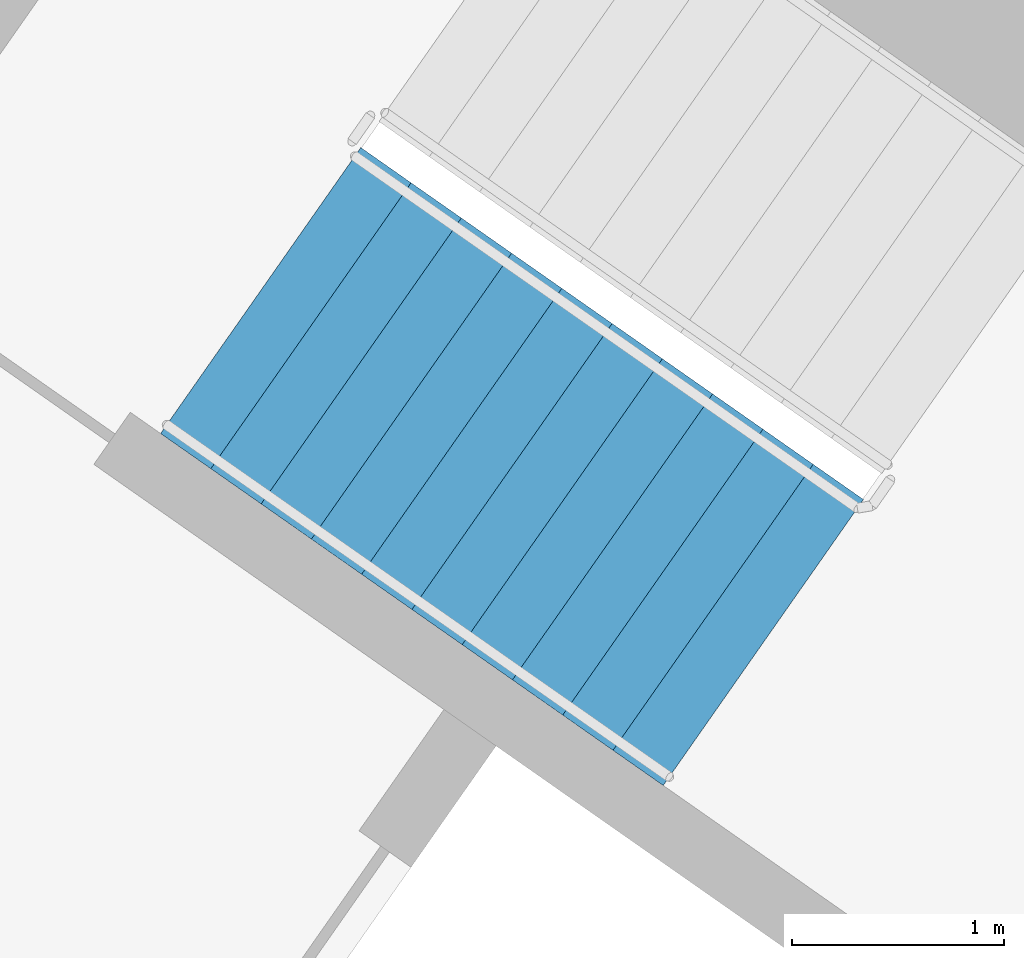
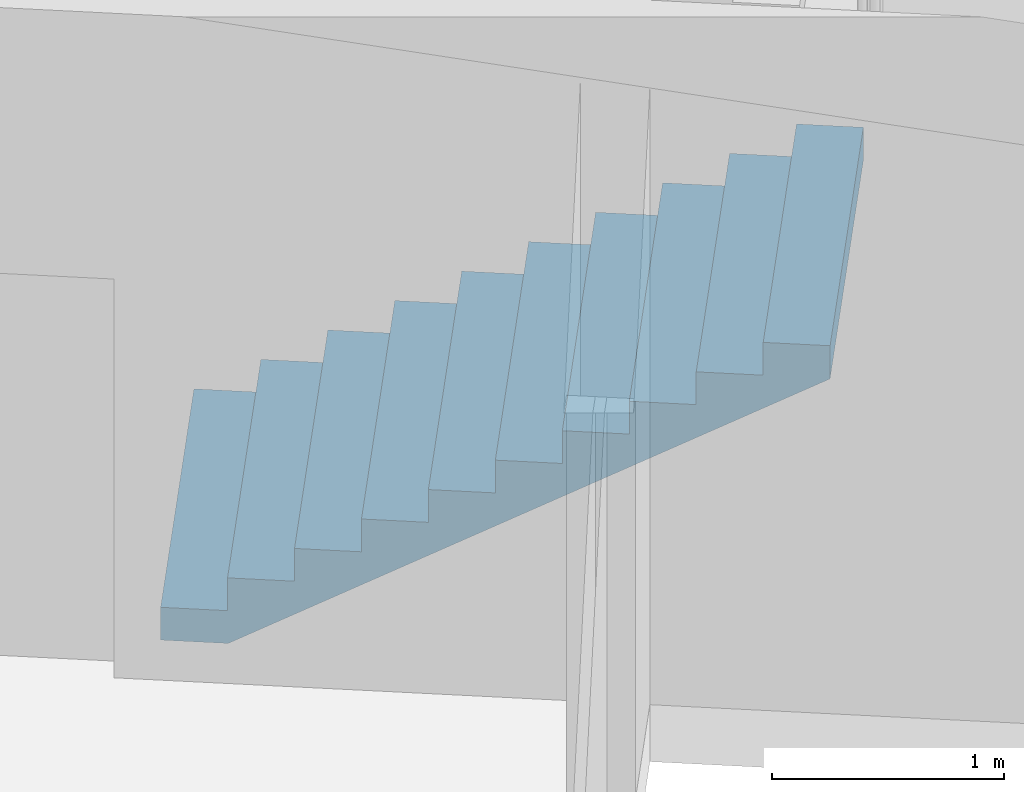
# One storey, part 12 of 30: 1 stair flight, 1 element without a shape of its own.
"""IFC4 building model written with IfcOpenShell, lengths in metres."""

import ifcopenshell
import ifcopenshell.guid

model = None  # the IFC model being written
_history = None  # IfcOwnerHistory: only IFC2X3 demands one
_inside = {}  # id of a spatial element -> (the spatial element, [elements in it])
_under = {}  # id of a project, library or spatial element -> (it, [spatial elements below it])
_declared = {}  # id of a project -> (the project, [libraries it declares])
_typed = {}  # id of a type object -> (the type object, [elements of that type])
_made_of = {}  # id of a material, layer set ... -> (it, [elements and type objects made of it])


def new_model(schema):
    """Start an empty IFC model of exactly this schema.

    Asked for "IFC4X3", IfcOpenShell would pick the latest addendum, in which some entities
    have other attributes; the version numbers below select the first issue.
    IFC2X3 requires an IfcOwnerHistory on every rooted entity: one is made here for all.
    """
    global model, _history
    if schema == "IFC4X3":
        model = ifcopenshell.file(schema_version=(4, 3, 0, 0))
    else:
        model = ifcopenshell.file(schema=schema)
    _inside.clear()
    _under.clear()
    _declared.clear()
    _typed.clear()
    _made_of.clear()
    _history = None
    if model.schema == "IFC2X3":
        org = make("IfcOrganization", Name="unknown")
        user = make(
            "IfcPersonAndOrganization",
            ThePerson=make("IfcPerson", FamilyName="unknown"),
            TheOrganization=org,
        )
        app = make(
            "IfcApplication",
            ApplicationDeveloper=org,
            Version="unknown",
            ApplicationFullName="unknown",
            ApplicationIdentifier="unknown",
        )
        _history = make(
            "IfcOwnerHistory",
            OwningUser=user,
            OwningApplication=app,
            ChangeAction="ADDED",
            CreationDate=0,
        )
    return model


def make(cls, **values):
    """One entity of the class cls with the attributes given. An attribute that is None is left unset."""
    return model.create_entity(
        cls, **{name: value for name, value in values.items() if value is not None}
    )


def rooted(cls, **values):
    """An entity with a GlobalId (a new one), such as an element, a storey or a relation."""
    return make(cls, GlobalId=ifcopenshell.guid.new(), OwnerHistory=_history, **values)


def si_unit(unit_type, name, prefix=None):
    """IfcSIUnit, for example si_unit("LENGTHUNIT", "METRE", prefix="MILLI")."""
    return make("IfcSIUnit", UnitType=unit_type, Prefix=prefix, Name=name)


def assignment(units):
    """IfcUnitAssignment: the units of a project."""
    return None if units is None else make("IfcUnitAssignment", Units=units)


def point(xyz):
    """IfcCartesianPoint."""
    return None if xyz is None else make("IfcCartesianPoint", Coordinates=xyz)


def direction(xyz):
    """IfcDirection."""
    return None if xyz is None else make("IfcDirection", DirectionRatios=xyz)


def frame(location, z_axis=None, x_axis=None):
    """IfcAxis2Placement3D, a coordinate frame: its origin and axes. An axis left out is left unset."""
    return make(
        "IfcAxis2Placement3D",
        Location=point(location),
        Axis=direction(z_axis),
        RefDirection=direction(x_axis),
    )


def origin():
    """The frame at (0, 0, 0) with its axes left unset."""
    return frame((0.0, 0.0, 0.0))


def place(relative_to, where):
    """IfcLocalPlacement: puts the frame where relative to a parent placement (None: the world)."""
    return make(
        "IfcLocalPlacement", PlacementRelTo=relative_to, RelativePlacement=where
    )


def context(
    kind, dimensions, precision=None, world=None, true_north=None, identifier=None
):
    """IfcGeometricRepresentationContext, for example the 3D "Model" context."""
    return make(
        "IfcGeometricRepresentationContext",
        ContextIdentifier=identifier,
        ContextType=kind,
        CoordinateSpaceDimension=dimensions,
        Precision=precision,
        WorldCoordinateSystem=world,
        TrueNorth=true_north,
    )


def subcontext(parent, identifier, kind, view, scale=None):
    """IfcGeometricRepresentationSubContext, for example "Body" below "Model"."""
    return make(
        "IfcGeometricRepresentationSubContext",
        ContextIdentifier=identifier,
        ContextType=kind,
        ParentContext=parent,
        TargetScale=scale,
        TargetView=view,
    )


def project(units=None, contexts=None):
    """IfcProject with its units and contexts."""
    return rooted(
        "IfcProject",
        Name="project",
        RepresentationContexts=contexts,
        UnitsInContext=assignment(units),
    )


def spatial(cls, under=None, at=None, **own):
    """A site, building, storey or space (cls), placed at a placement, below another one or the project."""
    s = rooted(cls, ObjectPlacement=at, **own)
    if under is not None:
        _under.setdefault(under.id(), (under, []))[1].append(s)
    return s


def faces_of(points, faces, orient=None, outer=None):
    """IfcFace entities. A face is a list of loops; a loop is a list of indices into points, from 0.

    orient and outer hold one flag for each loop. By default every Orientation is true, the
    first loop of a face is its IfcFaceOuterBound and the others are IfcFaceBound.
    """
    made = []
    for i, loops in enumerate(faces):
        bounds = []
        for j, loop in enumerate(loops):
            is_outer = j == 0 if outer is None else outer[i][j]
            bounds.append(
                make(
                    "IfcFaceOuterBound" if is_outer else "IfcFaceBound",
                    Bound=make("IfcPolyLoop", Polygon=[points[k] for k in loop]),
                    Orientation=True if orient is None else orient[i][j],
                )
            )
        made.append(make("IfcFace", Bounds=bounds))
    return made


def faceted_brep(points, faces, orient=None, outer=None, voids=None):
    """IfcFacetedBrep: a solid bounded by flat faces; with voids (closed shells), ...WithVoids."""
    shared = [point(p) for p in points]
    hull = make("IfcClosedShell", CfsFaces=faces_of(shared, faces, orient, outer))
    if voids is None:
        return make("IfcFacetedBrep", Outer=hull)
    return make(
        "IfcFacetedBrepWithVoids",
        Outer=hull,
        Voids=[
            make(cls, CfsFaces=faces_of(shared, fs, o, b)) for cls, fs, o, b in voids
        ],
    )


def shape(context_of_items, identifier, shape_type, items):
    """IfcShapeRepresentation: the items that make up one representation, for example the "Body"."""
    return make(
        "IfcShapeRepresentation",
        ContextOfItems=context_of_items,
        RepresentationIdentifier=identifier,
        RepresentationType=shape_type,
        Items=items,
    )


def material(Name=None, Category=None):
    """IfcMaterial."""
    return make("IfcMaterial", Name=Name, Category=Category)


def made_of(thing, what):
    """Note that an element or type object is made of a material, layer set ...; save() writes the relation."""
    if what is not None:
        _made_of.setdefault(what.id(), (what, []))[1].append(thing)
    return thing


def type_object(cls, material=None, **own):
    """A type object (cls), such as IfcWallType, which elements share."""
    return made_of(rooted(cls, **own), material)


def element(
    cls,
    number,
    at=None,
    inside=None,
    cuts=None,
    type_object=None,
    material=None,
    context=None,
    identifier="Body",
    shape_type=None,
    held_by="IfcProductDefinitionShape",
    body=None,
    shapes=None,
    **own,
):
    """One element of the class cls, such as IfcWall. Its Tag is "e" and its number.

    at: its placement. inside: the storey or other place that contains it. cuts: it is an
    opening in that element (IfcRelVoidsElement). A single representation is given by context,
    identifier, shape_type and body (its items); several are given by shapes. held_by: the class
    of the entity that holds the representations. save() writes the other relations.
    """
    e = rooted(cls, Tag="e%d" % number, ObjectPlacement=at, **own)
    if body is not None:
        shapes = [shape(context, identifier, shape_type, body)]
    if shapes is not None:
        e.Representation = make(held_by, Representations=shapes)
    if inside is not None:
        _inside.setdefault(inside.id(), (inside, []))[1].append(e)
    if cuts is not None:
        rooted(
            "IfcRelVoidsElement", RelatingBuildingElement=cuts, RelatedOpeningElement=e
        )
    if type_object is not None:
        _typed.setdefault(type_object.id(), (type_object, []))[1].append(e)
    return made_of(e, material)


def aggregate(whole, parts):
    """IfcRelAggregates: a whole, such as a stair, and the parts it consists of."""
    return rooted("IfcRelAggregates", RelatingObject=whole, RelatedObjects=parts)


def save(model, path):
    """Write the relations noted so far, then the file.

    IfcRelAggregates (storeys below a building ...), IfcRelContainedInSpatialStructure (elements
    in a storey), IfcRelDefinesByType, IfcRelAssociatesMaterial and IfcRelDeclares: one each for
    every whole, place, type object, material and project.
    """
    for whole, parts in _under.values():
        aggregate(whole, parts)
    for where, things in _inside.values():
        rooted(
            "IfcRelContainedInSpatialStructure",
            RelatedElements=things,
            RelatingStructure=where,
        )
    for kind, things in _typed.values():
        rooted("IfcRelDefinesByType", RelatedObjects=things, RelatingType=kind)
    for what, things in _made_of.values():
        rooted("IfcRelAssociatesMaterial", RelatedObjects=things, RelatingMaterial=what)
    for by, libraries in _declared.values():
        rooted("IfcRelDeclares", RelatingContext=by, RelatedDefinitions=libraries)
    model.write(path)


model = new_model("IFC4")

# Units and contexts
model_context = context("Model", 3, precision=1e-05, world=origin(), true_north=direction((0.0, 1.0)))
body_context = subcontext(model_context, "Body", "Model", "MODEL_VIEW")
ifc_project = project(units=[si_unit("LENGTHUNIT", "METRE"), si_unit("AREAUNIT", "SQUARE_METRE"), si_unit("VOLUMEUNIT", "CUBIC_METRE"), si_unit("PLANEANGLEUNIT", "RADIAN"), si_unit("MASSUNIT", "GRAM", prefix="KILO")], contexts=[model_context])

# Site, building, storey
site_placement = place(None, origin())
site = spatial("IfcSite", under=ifc_project, at=site_placement, CompositionType="ELEMENT")
building_placement = place(site_placement, origin())
building = spatial("IfcBuilding", under=site, at=building_placement, Name="Qamariyya Broadcast Tower", CompositionType="ELEMENT")
storey_placement = place(building_placement, frame((0.0, 0.0, 110.10009765625)))
storey = spatial("IfcBuildingStorey", under=building, at=storey_placement, Name="L24", CompositionType="ELEMENT", Elevation=110.10009765625)

# Stair, stair flight
ifc_material = material(Name="Concrete C50/60", Category="concrete")
stair_type = type_object("IfcStairType", Name="Exit stair 22 risers of 173 mm", PredefinedType="HALF_TURN_STAIR", material=ifc_material)
stair_placement = place(storey_placement, origin())
stair = element("IfcStair", 1, at=stair_placement, inside=storey, type_object=stair_type, Name="L24 Stair W2", PredefinedType="HALF_TURN_STAIR")
stair_flight_type = type_object("IfcStairFlightType", Name="Exit stair flight 11 risers of 173 mm", PredefinedType="STRAIGHT", material=ifc_material)
stair_flight_placement = place(storey_placement, frame((-41.59130859375, -49.15966796875, 0.0), z_axis=(0.0, 0.0, 1.0), x_axis=(0.819152044289, -0.573576436351, 0.0)))
stair_flight = element("IfcStairFlight", 2, at=stair_flight_placement, type_object=stair_flight_type, Name="ST-W2 flight 1", NumberOfRisers=11, NumberOfTreads=10, PredefinedType="STRAIGHT", RiserHeight=0.172727273, TreadLength=0.29, context=body_context, shape_type="Brep", body=[
    faceted_brep([(0.0, 0.824951171875, 0.0), (0.0, 0.824951171875, 0.172607421875), (0.2900390625, 0.824951171875, 0.172607421875), (0.2900390625, 0.824951171875, 0.345458984375), (0.580078125, 0.824951171875, 0.345458984375), (0.580078125, 0.824951171875, 0.51806640625), (0.8701171875, 0.824951171875, 0.51806640625), (0.8701171875, 0.824951171875, 0.69091796875), (1.159912109375, 0.824951171875, 0.69091796875), (1.159912109375, 0.824951171875, 0.863525390625), (1.449951171875, 0.824951171875, 0.863525390625), (1.449951171875, 0.824951171875, 1.036376953125), (1.739990234375, 0.824951171875, 1.036376953125), (1.739990234375, 0.824951171875, 1.208984375), (2.030029296875, 0.824951171875, 1.208984375), (2.030029296875, 0.824951171875, 1.3818359375), (2.320068359375, 0.824951171875, 1.3818359375), (2.320068359375, 0.824951171875, 1.554443359375), (2.610107421875, 0.824951171875, 1.554443359375), (2.610107421875, 0.824951171875, 1.727294921875), (2.89990234375, 0.824951171875, 1.727294921875), (2.89990234375, 0.824951171875, 1.552734375), (0.29296875, 0.824951171875, 0.0), (0.29296875, -0.824951171875, 0.0), (2.89990234375, -0.824951171875, 1.552734375), (2.89990234375, -0.824951171875, 1.727294921875), (2.610107421875, -0.824951171875, 1.727294921875), (2.610107421875, -0.824951171875, 1.554443359375), (2.320068359375, -0.824951171875, 1.554443359375), (2.320068359375, -0.824951171875, 1.3818359375), (2.030029296875, -0.824951171875, 1.3818359375), (2.030029296875, -0.824951171875, 1.208984375), (1.739990234375, -0.824951171875, 1.208984375), (1.739990234375, -0.824951171875, 1.036376953125), (1.449951171875, -0.824951171875, 1.036376953125), (1.449951171875, -0.824951171875, 0.863525390625), (1.159912109375, -0.824951171875, 0.863525390625), (1.159912109375, -0.824951171875, 0.69091796875), (0.8701171875, -0.824951171875, 0.69091796875), (0.8701171875, -0.824951171875, 0.51806640625), (0.580078125, -0.824951171875, 0.51806640625), (0.580078125, -0.824951171875, 0.345458984375), (0.2900390625, -0.824951171875, 0.345458984375), (0.2900390625, -0.824951171875, 0.172607421875), (0.0, -0.824951171875, 0.172607421875), (0.0, -0.824951171875, 0.0), (0.0, 0.10009765625, 0.0), (0.0, 0.086669921875, 0.0), (0.0, 0.0732421875, 0.0), (0.0, 0.06005859375, 0.0), (0.0, 0.046630859375, 0.0), (0.0, 0.033447265625, 0.0), (0.0, 0.02001953125, 0.0), (0.0, 0.006591796875, 0.0), (0.0, -0.006591796875, 0.0), (0.0, -0.02001953125, 0.0), (0.0, -0.033447265625, 0.0), (0.0, -0.046630859375, 0.0), (0.0, -0.06005859375, 0.0), (0.0, -0.0732421875, 0.0), (0.0, -0.086669921875, 0.0), (0.0, -0.10009765625, 0.0), (0.0, -0.10009765625, 0.172607421875), (0.0, -0.086669921875, 0.172607421875), (0.0, -0.0732421875, 0.172607421875), (0.0, -0.06005859375, 0.172607421875), (0.0, -0.046630859375, 0.172607421875), (0.0, -0.033447265625, 0.172607421875), (0.0, -0.02001953125, 0.172607421875), (0.0, -0.006591796875, 0.172607421875), (0.0, 0.006591796875, 0.172607421875), (0.0, 0.02001953125, 0.172607421875), (0.0, 0.033447265625, 0.172607421875), (0.0, 0.046630859375, 0.172607421875), (0.0, 0.06005859375, 0.172607421875), (0.0, 0.0732421875, 0.172607421875), (0.0, 0.086669921875, 0.172607421875), (0.0, 0.10009765625, 0.172607421875), (0.2900390625, -0.10009765625, 0.172607421875), (0.2900390625, -0.086669921875, 0.172607421875), (0.2900390625, -0.0732421875, 0.172607421875), (0.2900390625, -0.06005859375, 0.172607421875), (0.2900390625, -0.046630859375, 0.172607421875), (0.2900390625, -0.033447265625, 0.172607421875), (0.2900390625, -0.02001953125, 0.172607421875), (0.2900390625, -0.006591796875, 0.172607421875), (0.2900390625, 0.006591796875, 0.172607421875), (0.2900390625, 0.02001953125, 0.172607421875), (0.2900390625, 0.033447265625, 0.172607421875), (0.2900390625, 0.046630859375, 0.172607421875), (0.2900390625, 0.06005859375, 0.172607421875), (0.2900390625, 0.0732421875, 0.172607421875), (0.2900390625, 0.086669921875, 0.172607421875), (0.2900390625, 0.10009765625, 0.172607421875), (0.2900390625, -0.10009765625, 0.345458984375), (0.2900390625, -0.086669921875, 0.345458984375), (0.2900390625, -0.0732421875, 0.345458984375), (0.2900390625, -0.06005859375, 0.345458984375), (0.2900390625, -0.046630859375, 0.345458984375), (0.2900390625, -0.033447265625, 0.345458984375), (0.2900390625, -0.02001953125, 0.345458984375), (0.2900390625, -0.006591796875, 0.345458984375), (0.2900390625, 0.006591796875, 0.345458984375), (0.2900390625, 0.02001953125, 0.345458984375), (0.2900390625, 0.033447265625, 0.345458984375), (0.2900390625, 0.046630859375, 0.345458984375), (0.2900390625, 0.06005859375, 0.345458984375), (0.2900390625, 0.0732421875, 0.345458984375), (0.2900390625, 0.086669921875, 0.345458984375), (0.2900390625, 0.10009765625, 0.345458984375), (0.580078125, -0.10009765625, 0.345458984375), (0.580078125, -0.086669921875, 0.345458984375), (0.580078125, -0.0732421875, 0.345458984375), (0.580078125, -0.06005859375, 0.345458984375), (0.580078125, -0.046630859375, 0.345458984375), (0.580078125, -0.033447265625, 0.345458984375), (0.580078125, -0.02001953125, 0.345458984375), (0.580078125, -0.006591796875, 0.345458984375), (0.580078125, 0.006591796875, 0.345458984375), (0.580078125, 0.02001953125, 0.345458984375), (0.580078125, 0.033447265625, 0.345458984375), (0.580078125, 0.046630859375, 0.345458984375), (0.580078125, 0.06005859375, 0.345458984375), (0.580078125, 0.0732421875, 0.345458984375), (0.580078125, 0.086669921875, 0.345458984375), (0.580078125, 0.10009765625, 0.345458984375), (0.580078125, -0.10009765625, 0.51806640625), (0.580078125, -0.086669921875, 0.51806640625), (0.580078125, -0.0732421875, 0.51806640625), (0.580078125, -0.06005859375, 0.51806640625), (0.580078125, -0.046630859375, 0.51806640625), (0.580078125, -0.033447265625, 0.51806640625), (0.580078125, -0.02001953125, 0.51806640625), (0.580078125, -0.006591796875, 0.51806640625), (0.580078125, 0.006591796875, 0.51806640625), (0.580078125, 0.02001953125, 0.51806640625), (0.580078125, 0.033447265625, 0.51806640625), (0.580078125, 0.046630859375, 0.51806640625), (0.580078125, 0.06005859375, 0.51806640625), (0.580078125, 0.0732421875, 0.51806640625), (0.580078125, 0.086669921875, 0.51806640625), (0.580078125, 0.10009765625, 0.51806640625), (0.8701171875, -0.10009765625, 0.51806640625), (0.8701171875, -0.086669921875, 0.51806640625), (0.8701171875, -0.0732421875, 0.51806640625), (0.8701171875, -0.06005859375, 0.51806640625), (0.8701171875, -0.046630859375, 0.51806640625), (0.8701171875, -0.033447265625, 0.51806640625), (0.8701171875, -0.02001953125, 0.51806640625), (0.8701171875, -0.006591796875, 0.51806640625), (0.8701171875, 0.006591796875, 0.51806640625), (0.8701171875, 0.02001953125, 0.51806640625), (0.8701171875, 0.033447265625, 0.51806640625), (0.8701171875, 0.046630859375, 0.51806640625), (0.8701171875, 0.06005859375, 0.51806640625), (0.8701171875, 0.0732421875, 0.51806640625), (0.8701171875, 0.086669921875, 0.51806640625), (0.8701171875, 0.10009765625, 0.51806640625), (0.8701171875, -0.10009765625, 0.69091796875), (0.8701171875, -0.086669921875, 0.69091796875), (0.8701171875, -0.0732421875, 0.69091796875), (0.8701171875, -0.06005859375, 0.69091796875), (0.8701171875, -0.046630859375, 0.69091796875), (0.8701171875, -0.033447265625, 0.69091796875), (0.8701171875, -0.02001953125, 0.69091796875), (0.8701171875, -0.006591796875, 0.69091796875), (0.8701171875, 0.006591796875, 0.69091796875), (0.8701171875, 0.02001953125, 0.69091796875), (0.8701171875, 0.033447265625, 0.69091796875), (0.8701171875, 0.046630859375, 0.69091796875), (0.8701171875, 0.06005859375, 0.69091796875), (0.8701171875, 0.0732421875, 0.69091796875), (0.8701171875, 0.086669921875, 0.69091796875), (0.8701171875, 0.10009765625, 0.69091796875), (1.159912109375, -0.10009765625, 0.69091796875), (1.159912109375, -0.086669921875, 0.69091796875), (1.159912109375, -0.0732421875, 0.69091796875), (1.159912109375, -0.06005859375, 0.69091796875), (1.159912109375, -0.046630859375, 0.69091796875), (1.159912109375, -0.033447265625, 0.69091796875), (1.159912109375, -0.02001953125, 0.69091796875), (1.159912109375, -0.006591796875, 0.69091796875), (1.159912109375, 0.006591796875, 0.69091796875), (1.159912109375, 0.02001953125, 0.69091796875), (1.159912109375, 0.033447265625, 0.69091796875), (1.159912109375, 0.046630859375, 0.69091796875), (1.159912109375, 0.06005859375, 0.69091796875), (1.159912109375, 0.0732421875, 0.69091796875), (1.159912109375, 0.086669921875, 0.69091796875), (1.159912109375, 0.10009765625, 0.69091796875), (1.159912109375, -0.10009765625, 0.863525390625), (1.159912109375, -0.086669921875, 0.863525390625), (1.159912109375, -0.0732421875, 0.863525390625), (1.159912109375, -0.06005859375, 0.863525390625), (1.159912109375, -0.046630859375, 0.863525390625), (1.159912109375, -0.033447265625, 0.863525390625), (1.159912109375, -0.02001953125, 0.863525390625), (1.159912109375, -0.006591796875, 0.863525390625), (1.159912109375, 0.006591796875, 0.863525390625), (1.159912109375, 0.02001953125, 0.863525390625), (1.159912109375, 0.033447265625, 0.863525390625), (1.159912109375, 0.046630859375, 0.863525390625), (1.159912109375, 0.06005859375, 0.863525390625), (1.159912109375, 0.0732421875, 0.863525390625), (1.159912109375, 0.086669921875, 0.863525390625), (1.159912109375, 0.10009765625, 0.863525390625), (1.449951171875, -0.10009765625, 0.863525390625), (1.449951171875, -0.086669921875, 0.863525390625), (1.449951171875, -0.0732421875, 0.863525390625), (1.449951171875, -0.06005859375, 0.863525390625), (1.449951171875, -0.046630859375, 0.863525390625), (1.449951171875, -0.033447265625, 0.863525390625), (1.449951171875, -0.02001953125, 0.863525390625), (1.449951171875, -0.006591796875, 0.863525390625), (1.449951171875, 0.006591796875, 0.863525390625), (1.449951171875, 0.02001953125, 0.863525390625), (1.449951171875, 0.033447265625, 0.863525390625), (1.449951171875, 0.046630859375, 0.863525390625), (1.449951171875, 0.06005859375, 0.863525390625), (1.449951171875, 0.0732421875, 0.863525390625), (1.449951171875, 0.086669921875, 0.863525390625), (1.449951171875, 0.10009765625, 0.863525390625), (1.449951171875, -0.10009765625, 1.036376953125), (1.449951171875, -0.086669921875, 1.036376953125), (1.449951171875, -0.0732421875, 1.036376953125), (1.449951171875, -0.06005859375, 1.036376953125), (1.449951171875, -0.046630859375, 1.036376953125), (1.449951171875, -0.033447265625, 1.036376953125), (1.449951171875, -0.02001953125, 1.036376953125), (1.449951171875, -0.006591796875, 1.036376953125), (1.449951171875, 0.006591796875, 1.036376953125), (1.449951171875, 0.02001953125, 1.036376953125), (1.449951171875, 0.033447265625, 1.036376953125), (1.449951171875, 0.046630859375, 1.036376953125), (1.449951171875, 0.06005859375, 1.036376953125), (1.449951171875, 0.0732421875, 1.036376953125), (1.449951171875, 0.086669921875, 1.036376953125), (1.449951171875, 0.10009765625, 1.036376953125), (1.739990234375, -0.10009765625, 1.036376953125), (1.739990234375, -0.086669921875, 1.036376953125), (1.739990234375, -0.0732421875, 1.036376953125), (1.739990234375, -0.06005859375, 1.036376953125), (1.739990234375, -0.046630859375, 1.036376953125), (1.739990234375, -0.033447265625, 1.036376953125), (1.739990234375, -0.02001953125, 1.036376953125), (1.739990234375, -0.006591796875, 1.036376953125), (1.739990234375, 0.006591796875, 1.036376953125), (1.739990234375, 0.02001953125, 1.036376953125), (1.739990234375, 0.033447265625, 1.036376953125), (1.739990234375, 0.046630859375, 1.036376953125), (1.739990234375, 0.06005859375, 1.036376953125), (1.739990234375, 0.0732421875, 1.036376953125), (1.739990234375, 0.086669921875, 1.036376953125), (1.739990234375, 0.10009765625, 1.036376953125), (1.739990234375, -0.10009765625, 1.208984375), (1.739990234375, -0.086669921875, 1.208984375), (1.739990234375, -0.0732421875, 1.208984375), (1.739990234375, -0.06005859375, 1.208984375), (1.739990234375, -0.046630859375, 1.208984375), (1.739990234375, -0.033447265625, 1.208984375), (1.739990234375, -0.02001953125, 1.208984375), (1.739990234375, -0.006591796875, 1.208984375), (1.739990234375, 0.006591796875, 1.208984375), (1.739990234375, 0.02001953125, 1.208984375), (1.739990234375, 0.033447265625, 1.208984375), (1.739990234375, 0.046630859375, 1.208984375), (1.739990234375, 0.06005859375, 1.208984375), (1.739990234375, 0.0732421875, 1.208984375), (1.739990234375, 0.086669921875, 1.208984375), (1.739990234375, 0.10009765625, 1.208984375), (2.030029296875, -0.10009765625, 1.208984375), (2.030029296875, -0.086669921875, 1.208984375), (2.030029296875, -0.0732421875, 1.208984375), (2.030029296875, -0.06005859375, 1.208984375), (2.030029296875, -0.046630859375, 1.208984375), (2.030029296875, -0.033447265625, 1.208984375), (2.030029296875, -0.02001953125, 1.208984375), (2.030029296875, -0.006591796875, 1.208984375), (2.030029296875, 0.006591796875, 1.208984375), (2.030029296875, 0.02001953125, 1.208984375), (2.030029296875, 0.033447265625, 1.208984375), (2.030029296875, 0.046630859375, 1.208984375), (2.030029296875, 0.06005859375, 1.208984375), (2.030029296875, 0.0732421875, 1.208984375), (2.030029296875, 0.086669921875, 1.208984375), (2.030029296875, 0.10009765625, 1.208984375), (2.030029296875, -0.10009765625, 1.3818359375), (2.030029296875, -0.086669921875, 1.3818359375), (2.030029296875, -0.0732421875, 1.3818359375), (2.030029296875, -0.06005859375, 1.3818359375), (2.030029296875, -0.046630859375, 1.3818359375), (2.030029296875, -0.033447265625, 1.3818359375), (2.030029296875, -0.02001953125, 1.3818359375), (2.030029296875, -0.006591796875, 1.3818359375), (2.030029296875, 0.006591796875, 1.3818359375), (2.030029296875, 0.02001953125, 1.3818359375), (2.030029296875, 0.033447265625, 1.3818359375), (2.030029296875, 0.046630859375, 1.3818359375), (2.030029296875, 0.06005859375, 1.3818359375), (2.030029296875, 0.0732421875, 1.3818359375), (2.030029296875, 0.086669921875, 1.3818359375), (2.030029296875, 0.10009765625, 1.3818359375), (2.320068359375, -0.10009765625, 1.3818359375), (2.320068359375, -0.086669921875, 1.3818359375), (2.320068359375, -0.0732421875, 1.3818359375), (2.320068359375, -0.06005859375, 1.3818359375), (2.320068359375, -0.046630859375, 1.3818359375), (2.320068359375, -0.033447265625, 1.3818359375), (2.320068359375, -0.02001953125, 1.3818359375), (2.320068359375, -0.006591796875, 1.3818359375), (2.320068359375, 0.006591796875, 1.3818359375), (2.320068359375, 0.02001953125, 1.3818359375), (2.320068359375, 0.033447265625, 1.3818359375), (2.320068359375, 0.046630859375, 1.3818359375), (2.320068359375, 0.06005859375, 1.3818359375), (2.320068359375, 0.0732421875, 1.3818359375), (2.320068359375, 0.086669921875, 1.3818359375), (2.320068359375, 0.10009765625, 1.3818359375), (2.320068359375, -0.10009765625, 1.554443359375), (2.320068359375, -0.086669921875, 1.554443359375), (2.320068359375, -0.0732421875, 1.554443359375), (2.320068359375, -0.06005859375, 1.554443359375), (2.320068359375, -0.046630859375, 1.554443359375), (2.320068359375, -0.033447265625, 1.554443359375), (2.320068359375, -0.02001953125, 1.554443359375), (2.320068359375, -0.006591796875, 1.554443359375), (2.320068359375, 0.006591796875, 1.554443359375), (2.320068359375, 0.02001953125, 1.554443359375), (2.320068359375, 0.033447265625, 1.554443359375), (2.320068359375, 0.046630859375, 1.554443359375), (2.320068359375, 0.06005859375, 1.554443359375), (2.320068359375, 0.0732421875, 1.554443359375), (2.320068359375, 0.086669921875, 1.554443359375), (2.320068359375, 0.10009765625, 1.554443359375), (2.610107421875, -0.10009765625, 1.554443359375), (2.610107421875, -0.086669921875, 1.554443359375), (2.610107421875, -0.0732421875, 1.554443359375), (2.610107421875, -0.06005859375, 1.554443359375), (2.610107421875, -0.046630859375, 1.554443359375), (2.610107421875, -0.033447265625, 1.554443359375), (2.610107421875, -0.02001953125, 1.554443359375), (2.610107421875, -0.006591796875, 1.554443359375), (2.610107421875, 0.006591796875, 1.554443359375), (2.610107421875, 0.02001953125, 1.554443359375), (2.610107421875, 0.033447265625, 1.554443359375), (2.610107421875, 0.046630859375, 1.554443359375), (2.610107421875, 0.06005859375, 1.554443359375), (2.610107421875, 0.0732421875, 1.554443359375), (2.610107421875, 0.086669921875, 1.554443359375), (2.610107421875, 0.10009765625, 1.554443359375), (2.610107421875, -0.10009765625, 1.727294921875), (2.610107421875, -0.086669921875, 1.727294921875), (2.610107421875, -0.0732421875, 1.727294921875), (2.610107421875, -0.06005859375, 1.727294921875), (2.610107421875, -0.046630859375, 1.727294921875), (2.610107421875, -0.033447265625, 1.727294921875), (2.610107421875, -0.02001953125, 1.727294921875), (2.610107421875, -0.006591796875, 1.727294921875), (2.610107421875, 0.006591796875, 1.727294921875), (2.610107421875, 0.02001953125, 1.727294921875), (2.610107421875, 0.033447265625, 1.727294921875), (2.610107421875, 0.046630859375, 1.727294921875), (2.610107421875, 0.06005859375, 1.727294921875), (2.610107421875, 0.0732421875, 1.727294921875), (2.610107421875, 0.086669921875, 1.727294921875), (2.610107421875, 0.10009765625, 1.727294921875), (2.89990234375, -0.10009765625, 1.727294921875), (2.89990234375, -0.086669921875, 1.727294921875), (2.89990234375, -0.0732421875, 1.727294921875), (2.89990234375, -0.06005859375, 1.727294921875), (2.89990234375, -0.046630859375, 1.727294921875), (2.89990234375, -0.033447265625, 1.727294921875), (2.89990234375, -0.02001953125, 1.727294921875), (2.89990234375, -0.006591796875, 1.727294921875), (2.89990234375, 0.006591796875, 1.727294921875), (2.89990234375, 0.02001953125, 1.727294921875), (2.89990234375, 0.033447265625, 1.727294921875), (2.89990234375, 0.046630859375, 1.727294921875), (2.89990234375, 0.06005859375, 1.727294921875), (2.89990234375, 0.0732421875, 1.727294921875), (2.89990234375, 0.086669921875, 1.727294921875), (2.89990234375, 0.10009765625, 1.727294921875), (2.89990234375, -0.10009765625, 1.552734375), (2.89990234375, -0.086669921875, 1.552734375), (2.89990234375, -0.0732421875, 1.552734375), (2.89990234375, -0.06005859375, 1.552734375), (2.89990234375, -0.046630859375, 1.552734375), (2.89990234375, -0.033447265625, 1.552734375), (2.89990234375, -0.02001953125, 1.552734375), (2.89990234375, -0.006591796875, 1.552734375), (2.89990234375, 0.006591796875, 1.552734375), (2.89990234375, 0.02001953125, 1.552734375), (2.89990234375, 0.033447265625, 1.552734375), (2.89990234375, 0.046630859375, 1.552734375), (2.89990234375, 0.06005859375, 1.552734375), (2.89990234375, 0.0732421875, 1.552734375), (2.89990234375, 0.086669921875, 1.552734375), (2.89990234375, 0.10009765625, 1.552734375), (0.29296875, -0.10009765625, 0.0), (0.29296875, -0.086669921875, 0.0), (0.29296875, -0.0732421875, 0.0), (0.29296875, -0.06005859375, 0.0), (0.29296875, -0.046630859375, 0.0), (0.29296875, -0.033447265625, 0.0), (0.29296875, -0.02001953125, 0.0), (0.29296875, -0.006591796875, 0.0), (0.29296875, 0.006591796875, 0.0), (0.29296875, 0.02001953125, 0.0), (0.29296875, 0.033447265625, 0.0), (0.29296875, 0.046630859375, 0.0), (0.29296875, 0.06005859375, 0.0), (0.29296875, 0.0732421875, 0.0), (0.29296875, 0.086669921875, 0.0), (0.29296875, 0.10009765625, 0.0)], [[[0, 1, 2, 3, 4, 5, 6, 7, 8, 9, 10, 11, 12, 13, 14, 15, 16, 17, 18, 19, 20, 21, 22]], [[23, 24, 25, 26, 27, 28, 29, 30, 31, 32, 33, 34, 35, 36, 37, 38, 39, 40, 41, 42, 43, 44, 45]], [[0, 46, 47, 48, 49, 50, 51, 52, 53, 54, 55, 56, 57, 58, 59, 60, 61, 45, 44, 62, 63, 64, 65, 66, 67, 68, 69, 70, 71, 72, 73, 74, 75, 76, 77, 1]], [[1, 77, 76, 75, 74, 73, 72, 71, 70, 69, 68, 67, 66, 65, 64, 63, 62, 44, 43, 78, 79, 80, 81, 82, 83, 84, 85, 86, 87, 88, 89, 90, 91, 92, 93, 2]], [[2, 93, 92, 91, 90, 89, 88, 87, 86, 85, 84, 83, 82, 81, 80, 79, 78, 43, 42, 94, 95, 96, 97, 98, 99, 100, 101, 102, 103, 104, 105, 106, 107, 108, 109, 3]], [[3, 109, 108, 107, 106, 105, 104, 103, 102, 101, 100, 99, 98, 97, 96, 95, 94, 42, 41, 110, 111, 112, 113, 114, 115, 116, 117, 118, 119, 120, 121, 122, 123, 124, 125, 4]], [[4, 125, 124, 123, 122, 121, 120, 119, 118, 117, 116, 115, 114, 113, 112, 111, 110, 41, 40, 126, 127, 128, 129, 130, 131, 132, 133, 134, 135, 136, 137, 138, 139, 140, 141, 5]], [[5, 141, 140, 139, 138, 137, 136, 135, 134, 133, 132, 131, 130, 129, 128, 127, 126, 40, 39, 142, 143, 144, 145, 146, 147, 148, 149, 150, 151, 152, 153, 154, 155, 156, 157, 6]], [[6, 157, 156, 155, 154, 153, 152, 151, 150, 149, 148, 147, 146, 145, 144, 143, 142, 39, 38, 158, 159, 160, 161, 162, 163, 164, 165, 166, 167, 168, 169, 170, 171, 172, 173, 7]], [[7, 173, 172, 171, 170, 169, 168, 167, 166, 165, 164, 163, 162, 161, 160, 159, 158, 38, 37, 174, 175, 176, 177, 178, 179, 180, 181, 182, 183, 184, 185, 186, 187, 188, 189, 8]], [[8, 189, 188, 187, 186, 185, 184, 183, 182, 181, 180, 179, 178, 177, 176, 175, 174, 37, 36, 190, 191, 192, 193, 194, 195, 196, 197, 198, 199, 200, 201, 202, 203, 204, 205, 9]], [[9, 205, 204, 203, 202, 201, 200, 199, 198, 197, 196, 195, 194, 193, 192, 191, 190, 36, 35, 206, 207, 208, 209, 210, 211, 212, 213, 214, 215, 216, 217, 218, 219, 220, 221, 10]], [[10, 221, 220, 219, 218, 217, 216, 215, 214, 213, 212, 211, 210, 209, 208, 207, 206, 35, 34, 222, 223, 224, 225, 226, 227, 228, 229, 230, 231, 232, 233, 234, 235, 236, 237, 11]], [[11, 237, 236, 235, 234, 233, 232, 231, 230, 229, 228, 227, 226, 225, 224, 223, 222, 34, 33, 238, 239, 240, 241, 242, 243, 244, 245, 246, 247, 248, 249, 250, 251, 252, 253, 12]], [[12, 253, 252, 251, 250, 249, 248, 247, 246, 245, 244, 243, 242, 241, 240, 239, 238, 33, 32, 254, 255, 256, 257, 258, 259, 260, 261, 262, 263, 264, 265, 266, 267, 268, 269, 13]], [[13, 269, 268, 267, 266, 265, 264, 263, 262, 261, 260, 259, 258, 257, 256, 255, 254, 32, 31, 270, 271, 272, 273, 274, 275, 276, 277, 278, 279, 280, 281, 282, 283, 284, 285, 14]], [[14, 285, 284, 283, 282, 281, 280, 279, 278, 277, 276, 275, 274, 273, 272, 271, 270, 31, 30, 286, 287, 288, 289, 290, 291, 292, 293, 294, 295, 296, 297, 298, 299, 300, 301, 15]], [[15, 301, 300, 299, 298, 297, 296, 295, 294, 293, 292, 291, 290, 289, 288, 287, 286, 30, 29, 302, 303, 304, 305, 306, 307, 308, 309, 310, 311, 312, 313, 314, 315, 316, 317, 16]], [[16, 317, 316, 315, 314, 313, 312, 311, 310, 309, 308, 307, 306, 305, 304, 303, 302, 29, 28, 318, 319, 320, 321, 322, 323, 324, 325, 326, 327, 328, 329, 330, 331, 332, 333, 17]], [[17, 333, 332, 331, 330, 329, 328, 327, 326, 325, 324, 323, 322, 321, 320, 319, 318, 28, 27, 334, 335, 336, 337, 338, 339, 340, 341, 342, 343, 344, 345, 346, 347, 348, 349, 18]], [[18, 349, 348, 347, 346, 345, 344, 343, 342, 341, 340, 339, 338, 337, 336, 335, 334, 27, 26, 350, 351, 352, 353, 354, 355, 356, 357, 358, 359, 360, 361, 362, 363, 364, 365, 19]], [[19, 365, 364, 363, 362, 361, 360, 359, 358, 357, 356, 355, 354, 353, 352, 351, 350, 26, 25, 366, 367, 368, 369, 370, 371, 372, 373, 374, 375, 376, 377, 378, 379, 380, 381, 20]], [[20, 381, 380, 379, 378, 377, 376, 375, 374, 373, 372, 371, 370, 369, 368, 367, 366, 25, 24, 382, 383, 384, 385, 386, 387, 388, 389, 390, 391, 392, 393, 394, 395, 396, 397, 21]], [[21, 397, 396, 395, 394, 393, 392, 391, 390, 389, 388, 387, 386, 385, 384, 383, 382, 24, 23, 398, 399, 400, 401, 402, 403, 404, 405, 406, 407, 408, 409, 410, 411, 412, 413, 22]], [[22, 413, 412, 411, 410, 409, 408, 407, 406, 405, 404, 403, 402, 401, 400, 399, 398, 23, 45, 61, 60, 59, 58, 57, 56, 55, 54, 53, 52, 51, 50, 49, 48, 47, 46, 0]]]),
])
aggregate(stair, [stair_flight])

save(model, "model.ifc")
